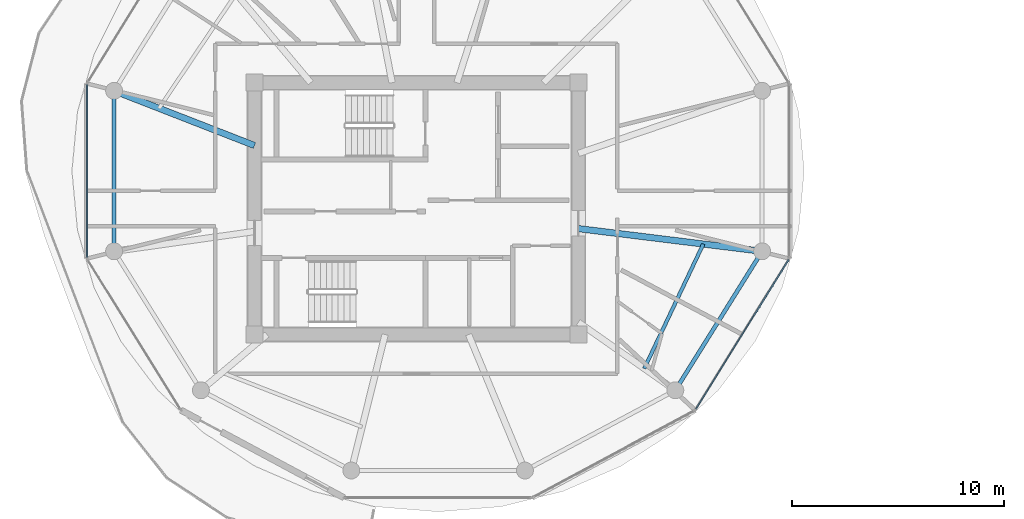
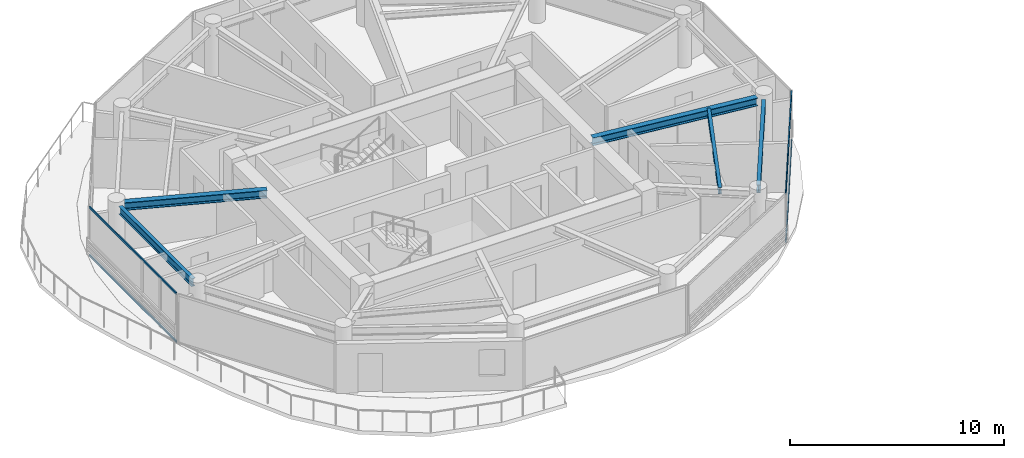
# One storey, part 3 of 23: 5 beams, 4 members, 2 elements without a shape of their own.
"""IFC4 building model written with IfcOpenShell, lengths in metres."""

from ifc_helpers import new_model, si_unit, direction, frame, origin, origin_2d, place, context, subcontext, project, spatial, rectangle, i_section, extrude, source, transform, mapped, material, layer, layer_set, material_profile, profile_set, type_object, type_shapes, element, aggregate, save


model = new_model("IFC4")

# Units and contexts
model_context = context("Model", 3, precision=1e-05, world=origin(), true_north=direction((0.0, 1.0)))
body_context = subcontext(model_context, "Body", "Model", "MODEL_VIEW")
ifc_project = project(units=[si_unit("LENGTHUNIT", "METRE"), si_unit("AREAUNIT", "SQUARE_METRE"), si_unit("VOLUMEUNIT", "CUBIC_METRE"), si_unit("PLANEANGLEUNIT", "RADIAN"), si_unit("MASSUNIT", "GRAM", prefix="KILO")], contexts=[model_context])

# Site, building, storey
site_placement = place(None, origin())
site = spatial("IfcSite", under=ifc_project, at=site_placement, CompositionType="ELEMENT")
building_placement = place(site_placement, origin())
building = spatial("IfcBuilding", under=site, at=building_placement, Name="Norrkilde Senior Care Towers", CompositionType="ELEMENT")
storey_placement = place(building_placement, frame((0.0, 0.0, 158.699951171875)))
storey = spatial("IfcBuildingStorey", under=building, at=storey_placement, Name="L49", CompositionType="ELEMENT", Elevation=158.699951171875)

# Beams
ifc_material_1 = material(Name="Steel S355", Category="steel")
ifc_material_profile_1 = material_profile(ifc_material_1, i_section(OverallWidth=0.18994140625, OverallDepth=0.449951171875, WebThickness=0.009521484375, FlangeThickness=0.0146484375, FilletRadius=0.02099609375, at=origin_2d()), Name="IPE 450")
ifc_profile_set_1 = profile_set([ifc_material_profile_1], Name="Steel S355")
beam_type_1 = type_object("IfcBeamType", Name="Perimeter Ring Spandrel Z3 IPE450", PredefinedType="SPANDREL", material=ifc_profile_set_1)
shared_shape_1 = source(origin(), body_context, "Body", "SweptSolid", [
    extrude(i_section(OverallWidth=0.18994140625, OverallDepth=0.449951171875, WebThickness=0.009521484375, FlangeThickness=0.0146484375, FilletRadius=0.02099609375, at=origin_2d()), origin(), (0.0, 0.0, 1.0), 6.86328125),
])
beam_1_placement = place(storey_placement, frame((-42.284912109375, 5.20703125, 2.5849609375), z_axis=(0.0, -1.0, 0.0), x_axis=(1.0, 0.0, 0.0)))
element("IfcBeam", 1, at=beam_1_placement, inside=storey, type_object=beam_type_1, Name="L49 Drum W Perimeter Spandrel 06", PredefinedType="SPANDREL", context=body_context, shape_type="MappedRepresentation", body=[
    mapped(shared_shape_1, transform((0.0, 0.0, 0.0), x_axis=(1.0, 0.0, 0.0), y_axis=(0.0, 1.0, 0.0), z_axis=(0.0, 0.0, 1.0), scale=1.0)),
])
ifc_material_profile_2 = material_profile(ifc_material_1, i_section(OverallWidth=0.300048828125, OverallDepth=0.449951171875, WebThickness=0.013916015625, FlangeThickness=0.02587890625, FilletRadius=0.027099609375, at=origin_2d()), Name="HEB 450")
ifc_profile_set_2 = profile_set([ifc_material_profile_2], Name="Steel S355")
beam_type_2 = type_object("IfcBeamType", Name="Radial Floor Beam Z3 HEB450", PredefinedType="BEAM", material=ifc_profile_set_2)
shared_shape_2 = source(origin(), body_context, "Body", "SweptSolid", [
    extrude(i_section(OverallWidth=0.300048828125, OverallDepth=0.449951171875, WebThickness=0.013916015625, FlangeThickness=0.02587890625, FilletRadius=0.027099609375, at=origin_2d()), origin(), (0.0, 0.0, 1.0), 6.760986328125),
])
beam_2_placement = place(storey_placement, frame((-35.64990234375, 2.981201171875, 2.5849609375), z_axis=(-0.931742171387, 0.363120539297, 0.0), x_axis=(-0.363120539297, -0.931742171387, 0.0)))
element("IfcBeam", 2, at=beam_2_placement, inside=storey, type_object=beam_type_2, Name="L49 Drum W Radial Floor Beam 06", PredefinedType="BEAM", context=body_context, shape_type="MappedRepresentation", body=[
    mapped(shared_shape_2, transform((0.0, 0.0, 0.0), x_axis=(1.0, 0.0, 0.0), y_axis=(0.0, 1.0, 0.0), z_axis=(0.0, 0.0, 1.0), scale=1.0)),
])
shared_shape_3 = source(origin(), body_context, "Body", "SweptSolid", [
    extrude(i_section(OverallWidth=0.18994140625, OverallDepth=0.449951171875, WebThickness=0.009521484375, FlangeThickness=0.0146484375, FilletRadius=0.02099609375, at=origin_2d()), origin(), (0.0, 0.0, 1.0), 7.023193359375),
])
type_shapes(beam_type_1, [shared_shape_1, shared_shape_3])
beam_3_placement = place(storey_placement, frame((-15.57666015625, -8.2783203125, 2.5849609375), z_axis=(0.529805197269, 0.848119362441, 0.0), x_axis=(-0.848119362441, 0.529805197269, 0.0)))
element("IfcBeam", 3, at=beam_3_placement, inside=storey, type_object=beam_type_1, Name="L49 Drum W Perimeter Spandrel 11", PredefinedType="SPANDREL", context=body_context, shape_type="MappedRepresentation", body=[
    mapped(shared_shape_3, transform((0.0, 0.0, 0.0), x_axis=(1.0, 0.0, 0.0), y_axis=(0.0, 1.0, 0.0), z_axis=(0.0, 0.0, 1.0), scale=1.0)),
])
shared_shape_4 = source(origin(), body_context, "Body", "SweptSolid", [
    extrude(i_section(OverallWidth=0.300048828125, OverallDepth=0.449951171875, WebThickness=0.013916015625, FlangeThickness=0.02587890625, FilletRadius=0.027099609375, at=origin_2d()), origin(), (0.0, 0.0, 1.0), 8.390869140625),
])
type_shapes(beam_type_2, [shared_shape_2, shared_shape_4])
beam_4_placement = place(storey_placement, frame((-20.35009765625, -0.9443359375, 2.5849609375), z_axis=(0.99246916403, -0.122494728249, 0.0), x_axis=(0.122494728249, 0.99246916403, 0.0)))
element("IfcBeam", 4, at=beam_4_placement, inside=storey, type_object=beam_type_2, Name="L49 Drum W Radial Floor Beam 12", PredefinedType="BEAM", context=body_context, shape_type="MappedRepresentation", body=[
    mapped(shared_shape_4, transform((0.0, 0.0, 0.0), x_axis=(1.0, 0.0, 0.0), y_axis=(0.0, 1.0, 0.0), z_axis=(0.0, 0.0, 1.0), scale=1.0)),
])
ifc_material_profile_3 = material_profile(ifc_material_1, i_section(OverallWidth=0.169921875, OverallDepth=0.360107421875, WebThickness=0.008056640625, FlangeThickness=0.0126953125, FilletRadius=0.01806640625, at=origin_2d()), Name="IPE 360")
ifc_profile_set_3 = profile_set([ifc_material_profile_3], Name="Steel S355")
beam_type_3 = type_object("IfcBeamType", Name="Secondary Floor Joist IPE360", PredefinedType="JOIST", material=ifc_profile_set_3)
shared_shape_5 = source(origin(), body_context, "Body", "SweptSolid", [
    extrude(i_section(OverallWidth=0.169921875, OverallDepth=0.360107421875, WebThickness=0.008056640625, FlangeThickness=0.0126953125, FilletRadius=0.01806640625, at=origin_2d()), origin(), (0.0, 0.0, 1.0), 6.50927734375),
])
type_shapes(beam_type_3, [shared_shape_5])
beam_5_placement = place(storey_placement, frame((-17.23388671875, -7.5546875, 2.630126953125), z_axis=(0.428544169129, 0.90352083269, 0.0), x_axis=(-0.90352083269, 0.428544169129, 0.0)))
element("IfcBeam", 5, at=beam_5_placement, inside=storey, type_object=beam_type_3, Name="L49 Drum W Secondary Floor Joist 4", PredefinedType="JOIST", context=body_context, shape_type="MappedRepresentation", body=[
    mapped(shared_shape_5, transform((0.0, 0.0, 0.0), x_axis=(1.0, 0.0, 0.0), y_axis=(0.0, 1.0, 0.0), z_axis=(0.0, 0.0, 1.0), scale=1.0)),
])

# Curtain wall, members
ifc_material_2 = material(Name="Triple Low-E Insulated Glazing", Category="glass")
ifc_layer = layer(ifc_material_2, 0.18994140625)
ifc_layer_set = layer_set([ifc_layer], Name="Triple Low-E Insulated Glazing")
curtain_wall_type = type_object("IfcCurtainWallType", Name="CW4 Zone 3 Senior Residence Curtain Wall", PredefinedType="NOTDEFINED", material=ifc_layer_set)
curtain_wall_1_placement = place(storey_placement, origin())
curtain_wall_1 = element("IfcCurtainWall", 6, at=curtain_wall_1_placement, inside=storey, type_object=curtain_wall_type, Name="L49 Drum W Curtain Wall 10", PredefinedType="NOTDEFINED")
ifc_material_3 = material(Name="Anodised Aluminium", Category="aluminium")
ifc_material_profile_4 = material_profile(ifc_material_3, rectangle(XDim=0.06005859375, YDim=0.1201171875, at=origin_2d()), Name="ALU TRAN 60x120")
ifc_profile_set_4 = profile_set([ifc_material_profile_4], Name="Anodised Aluminium")
member_type = type_object("IfcMemberType", Name="Curtain Wall Transom Typical 60x120", PredefinedType="USERDEFINED", material=ifc_profile_set_4)
shared_shape_6 = source(origin(), body_context, "Body", "SweptSolid", [
    extrude(rectangle(XDim=0.06005859375, YDim=0.1201171875, at=origin_2d()), origin(), (0.0, 0.0, 1.0), 8.301513671875),
])
member_1_placement = place(storey_placement, frame((-10.414794921875, -2.415771484375, 0.030029296875), z_axis=(-0.527368718394, -0.849636531029, 0.0), x_axis=(0.849636531029, -0.527368718394, 0.0)))
member_1 = element("IfcMember", 7, at=member_1_placement, type_object=member_type, Name="CW-4 transom 1.1", ObjectType="TRANSOM", PredefinedType="USERDEFINED", context=body_context, shape_type="MappedRepresentation", body=[
    mapped(shared_shape_6, transform((0.0, 0.0, 0.0), x_axis=(1.0, 0.0, 0.0), y_axis=(0.0, 1.0, 0.0), z_axis=(0.0, 0.0, 1.0), scale=1.0)),
])
member_2_placement = place(storey_placement, frame((-10.414794921875, -2.415771484375, 2.780029296875), z_axis=(-0.527368718394, -0.849636531029, 0.0), x_axis=(0.849636531029, -0.527368718394, 0.0)))
member_2 = element("IfcMember", 8, at=member_2_placement, type_object=member_type, Name="CW-4 transom 1.2", ObjectType="TRANSOM", PredefinedType="USERDEFINED", context=body_context, shape_type="MappedRepresentation", body=[
    mapped(shared_shape_6, transform((0.0, 0.0, 0.0), x_axis=(1.0, 0.0, 0.0), y_axis=(0.0, 1.0, 0.0), z_axis=(0.0, 0.0, 1.0), scale=1.0)),
])
aggregate(curtain_wall_1, [member_1, member_2])

curtain_wall_2_placement = place(storey_placement, origin())
curtain_wall_2 = element("IfcCurtainWall", 9, at=curtain_wall_2_placement, inside=storey, type_object=curtain_wall_type, Name="L49 Drum W Curtain Wall 05", PredefinedType="NOTDEFINED")
shared_shape_7 = source(origin(), body_context, "Body", "SweptSolid", [
    extrude(rectangle(XDim=0.06005859375, YDim=0.1201171875, at=origin_2d()), origin(), (0.0, 0.0, 1.0), 8.141845703125),
])
type_shapes(member_type, [shared_shape_6, shared_shape_7])
member_3_placement = place(storey_placement, frame((-43.569580078125, -2.295654296875, 0.030029296875), z_axis=(0.0, 1.0, 0.0), x_axis=(-1.0, 0.0, 0.0)))
member_3 = element("IfcMember", 10, at=member_3_placement, type_object=member_type, Name="CW-4 transom 1.1", ObjectType="TRANSOM", PredefinedType="USERDEFINED", context=body_context, shape_type="MappedRepresentation", body=[
    mapped(shared_shape_7, transform((0.0, 0.0, 0.0), x_axis=(1.0, 0.0, 0.0), y_axis=(0.0, 1.0, 0.0), z_axis=(0.0, 0.0, 1.0), scale=1.0)),
])
member_4_placement = place(storey_placement, frame((-43.569580078125, -2.295654296875, 2.780029296875), z_axis=(0.0, 1.0, 0.0), x_axis=(-1.0, 0.0, 0.0)))
member_4 = element("IfcMember", 11, at=member_4_placement, type_object=member_type, Name="CW-4 transom 1.2", ObjectType="TRANSOM", PredefinedType="USERDEFINED", context=body_context, shape_type="MappedRepresentation", body=[
    mapped(shared_shape_7, transform((0.0, 0.0, 0.0), x_axis=(1.0, 0.0, 0.0), y_axis=(0.0, 1.0, 0.0), z_axis=(0.0, 0.0, 1.0), scale=1.0)),
])
aggregate(curtain_wall_2, [member_3, member_4])

save(model, "model.ifc")
